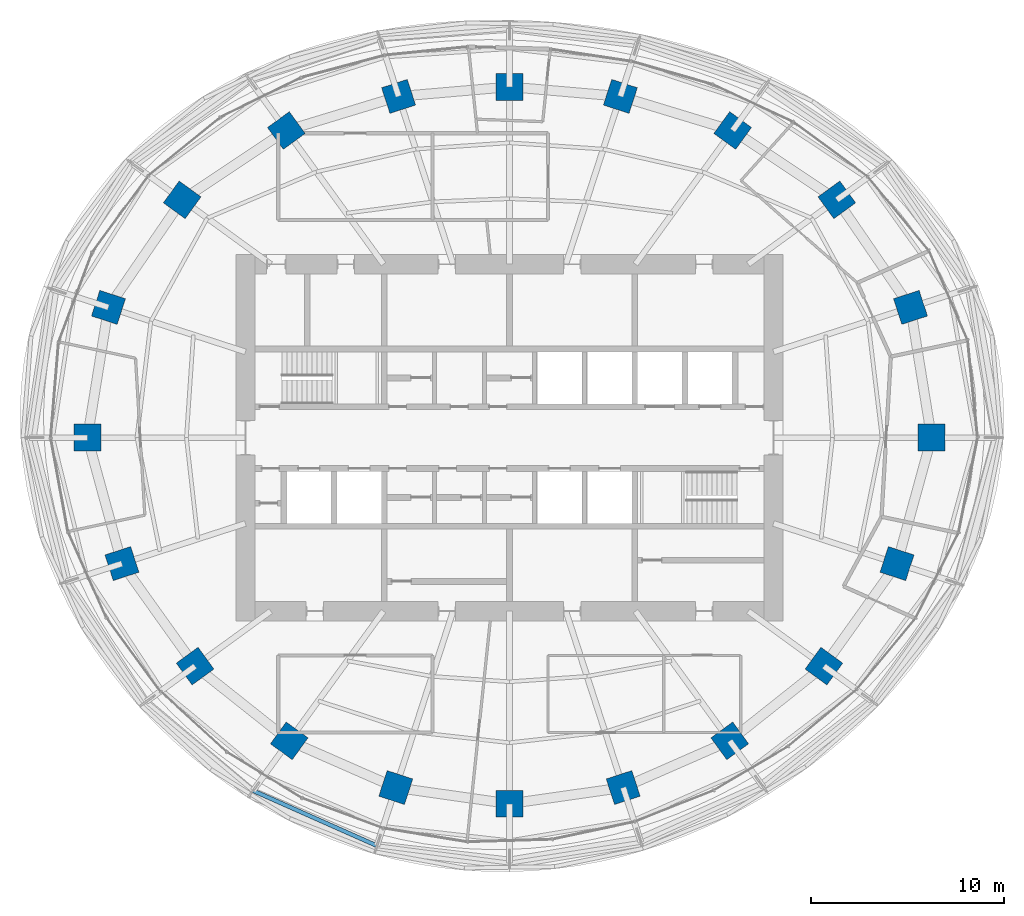
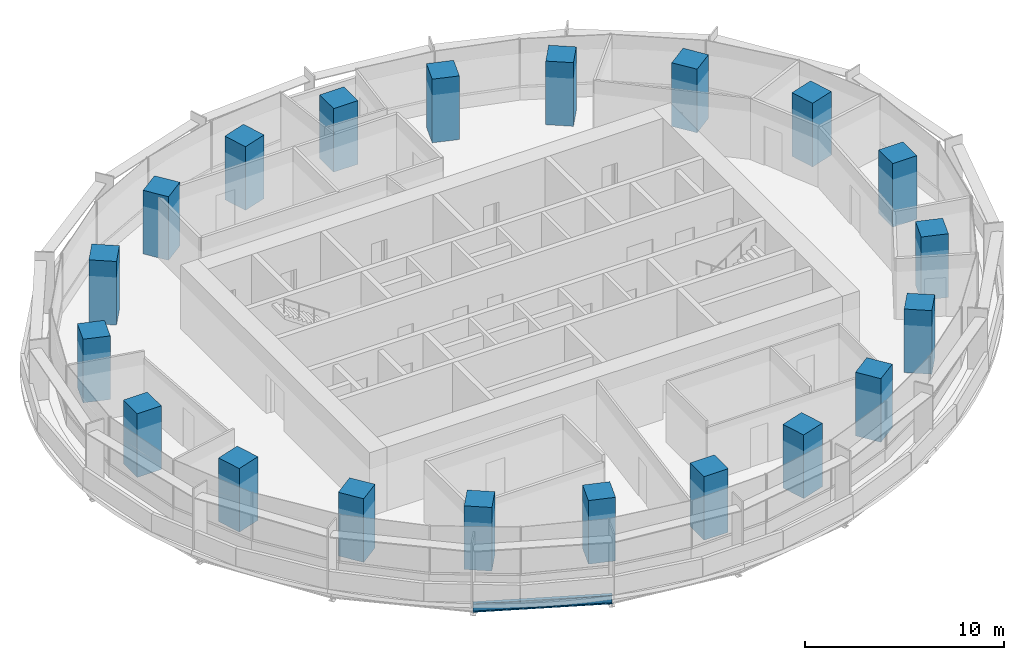
# One storey, part 1 of 17: 20 columns, 1 beam.
"""IFC4 building model written with IfcOpenShell, lengths in metres."""

from ifc_helpers import new_model, si_unit, direction, frame, origin, origin_2d, place, context, subcontext, project, spatial, rectangle, i_section, extrude, material, material_profile, profile_set, type_object, element, save


model = new_model("IFC4")

# Units and contexts
model_context = context("Model", 3, precision=1e-05, world=origin(), true_north=direction((0.0, 1.0)))
body_context = subcontext(model_context, "Body", "Model", "MODEL_VIEW")
ifc_project = project(units=[si_unit("LENGTHUNIT", "METRE"), si_unit("AREAUNIT", "SQUARE_METRE"), si_unit("VOLUMEUNIT", "CUBIC_METRE"), si_unit("PLANEANGLEUNIT", "RADIAN"), si_unit("MASSUNIT", "GRAM", prefix="KILO")], contexts=[model_context])

# Site, building, storey
site_placement = place(None, origin())
site = spatial("IfcSite", under=ifc_project, at=site_placement, CompositionType="ELEMENT")
building_placement = place(site_placement, origin())
building = spatial("IfcBuilding", under=site, at=building_placement, Name="Marramba Exchange Tower", CompositionType="ELEMENT")
storey_placement = place(building_placement, frame((0.0, 0.0, 172.10009765625)))
storey = spatial("IfcBuildingStorey", under=building, at=storey_placement, Name="L41", CompositionType="ELEMENT", Elevation=172.10009765625)

# Columns
ifc_material_1 = material(Name="Concrete N50", Category="concrete")
ifc_material_profile_1 = material_profile(ifc_material_1, rectangle(XDim=1.39990234375, YDim=1.39990234375, at=origin_2d()), Name="RC 1400x1400")
ifc_profile_set_1 = profile_set([ifc_material_profile_1], Name="Concrete N50")
column_type = type_object("IfcColumnType", Name="Perimeter column RC 1400x1400 N50", PredefinedType="COLUMN", material=ifc_profile_set_1)
for number, where, z_axis, x_axis, name in (
    (1, (21.89990234375, 0.0, 0.0), (0.0, 0.0, 1.0), (1.0, 0.0, 0.0), "Column TC01 L41"),
    (2, (20.808349609375, 6.760986328125, 0.0), (0.0, 0.0, 1.0), (0.951056516295, 0.309016994375, 0.0), "Column TC02 L41"),
    (3, (16.98583984375, 12.3408203125, 0.0), (0.0, 0.0, 1.0), (0.809016994375, 0.587785252292, 0.0), "Column TC03 L41"),
    (4, (11.581298828125, 15.9404296875, 0.0), (0.0, 0.0, 1.0), (0.587785252292, 0.809016994375, 0.0), "Column TC04 L41"),
    (5, (5.75390625, 17.70849609375, 0.0), (0.0, 0.0, 1.0), (0.309016994375, 0.951056516295, 0.0), "Column TC05 L41"),
    (6, (0.0, 18.2041015625, 0.0), (0.0, 0.0, 1.0), (0.0, 1.0, 0.0), "Column TC06 L41"),
    (7, (-5.75390625, 17.70849609375, 0.0), (0.0, 0.0, 1.0), (-0.309016994375, 0.951056516295, 0.0), "Column TC07 L41"),
    (8, (-11.581298828125, 15.9404296875, 0.0), (0.0, 0.0, 1.0), (-0.587785252292, 0.809016994375, 0.0), "Column TC08 L41"),
    (9, (-16.98583984375, 12.3408203125, 0.0), (0.0, 0.0, 1.0), (-0.809016994375, 0.587785252292, 0.0), "Column TC09 L41"),
    (10, (-20.808349609375, 6.760986328125, 0.0), (0.0, 0.0, 1.0), (-0.951056516295, 0.309016994375, 0.0), "Column TC10 L41"),
    (11, (-21.89990234375, 0.0, 0.0), (0.0, 0.0, 1.0), (-1.0, 0.0, 0.0), "Column TC11 L41"),
    (12, (-20.109375, -6.533935546875, 0.0), (0.0, 0.0, 1.0), (-0.951056516295, -0.309016994375, 0.0), "Column TC12 L41"),
    (13, (-16.3154296875, -11.853759765625, 0.0), (0.0, 0.0, 1.0), (-0.809016994375, -0.587785252292, 0.0), "Column TC13 L41"),
    (14, (-11.430419921875, -15.732666015625, 0.0), (0.0, 0.0, 1.0), (-0.587785252292, -0.809016994375, 0.0), "Column TC14 L41"),
    (15, (-5.899658203125, -18.156982421875, 0.0), (0.0, 0.0, 1.0), (-0.309016994375, -0.951056516295, 0.0), "Column TC15 L41"),
    (16, (0.0, -18.99609375, 0.0), (0.0, 0.0, 1.0), (0.0, -1.0, 0.0), "Column TC16 L41"),
    (17, (5.899658203125, -18.156982421875, 0.0), (0.0, 0.0, 1.0), (0.309016994375, -0.951056516295, 0.0), "Column TC17 L41"),
    (18, (11.430419921875, -15.732666015625, 0.0), (0.0, 0.0, 1.0), (0.587785252292, -0.809016994375, 0.0), "Column TC18 L41"),
    (19, (16.3154296875, -11.853759765625, 0.0), (0.0, 0.0, 1.0), (0.809016994375, -0.587785252292, 0.0), "Column TC19 L41"),
    (20, (20.109375, -6.533935546875, 0.0), (0.0, 0.0, 1.0), (0.951056516295, -0.309016994375, 0.0), "Column TC20 L41"),
):
    element("IfcColumn", number, at=place(storey_placement, frame(where, z_axis=z_axis, x_axis=x_axis)), inside=storey, type_object=column_type, Name=name, PredefinedType="COLUMN", context=body_context, shape_type="SweptSolid", body=[
        extrude(rectangle(XDim=1.39990234375, YDim=1.39990234375, at=origin_2d()), origin(), (0.0, 0.0, 1.0), 3.89990234375),
    ])

# Beam
ifc_material_2 = material(Name="Steel AS/NZS 3679.1 grade 300", Category="steel")
ifc_material_profile_2 = material_profile(ifc_material_2, i_section(OverallWidth=0.208984375, OverallDepth=0.528076171875, WebThickness=0.009521484375, FlangeThickness=0.01318359375, FilletRadius=0.013916015625, at=origin_2d()), Name="530UB82.0")
ifc_profile_set_2 = profile_set([ifc_material_profile_2], Name="Steel AS/NZS 3679.1 grade 300")
beam_type = type_object("IfcBeamType", Name="Slab edge beam 530UB82.0", PredefinedType="SPANDREL", material=ifc_profile_set_2)
beam_placement = place(storey_placement, frame((-13.30859375, -18.31787109375, -0.51416015625), z_axis=(0.913788648873, -0.406189986571, 0.0), x_axis=(0.406189986571, 0.913788648873, 0.0)))
element("IfcBeam", 21, at=beam_placement, inside=storey, type_object=beam_type, Name="Setback roof edge beam L41 TC14-TC15", PredefinedType="SPANDREL", context=body_context, shape_type="SweptSolid", body=[
    extrude(i_section(OverallWidth=0.208984375, OverallDepth=0.528076171875, WebThickness=0.009521484375, FlangeThickness=0.01318359375, FilletRadius=0.013916015625, at=origin_2d()), origin(), (0.0, 0.0, 1.0), 7.03466796875),
])

save(model, "model.ifc")
